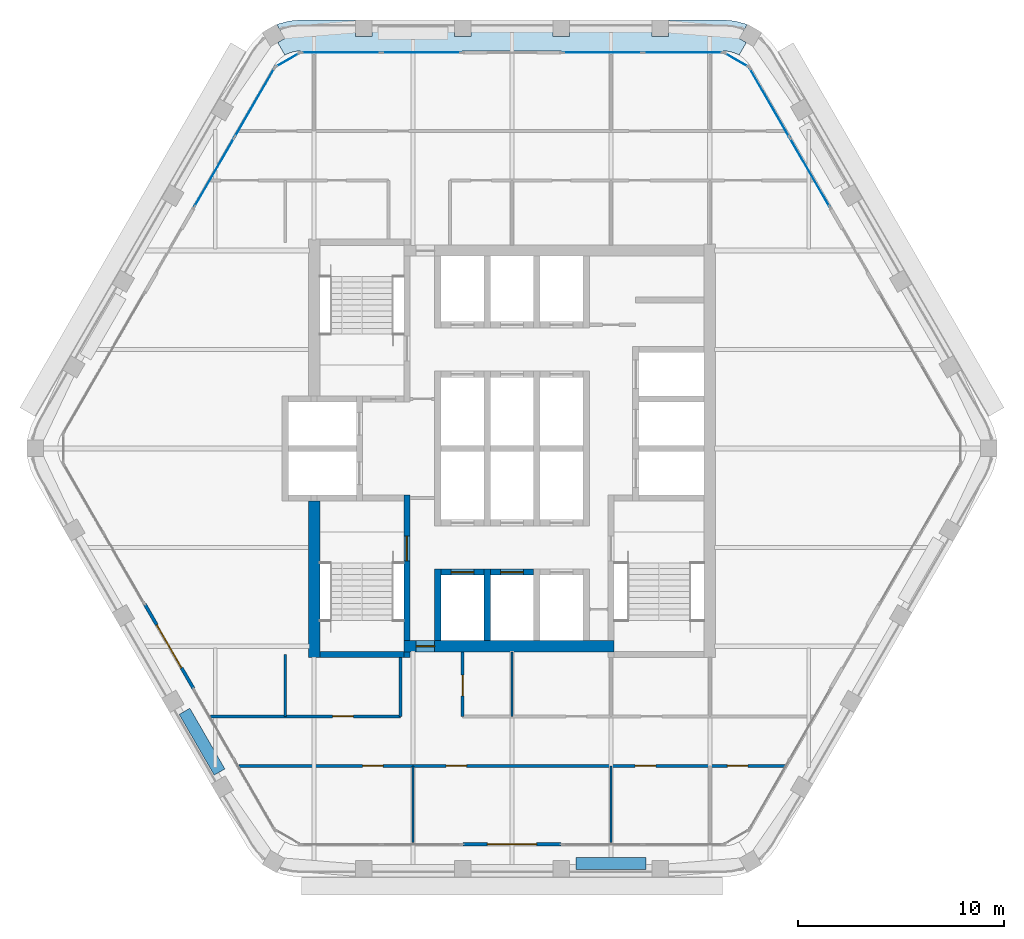
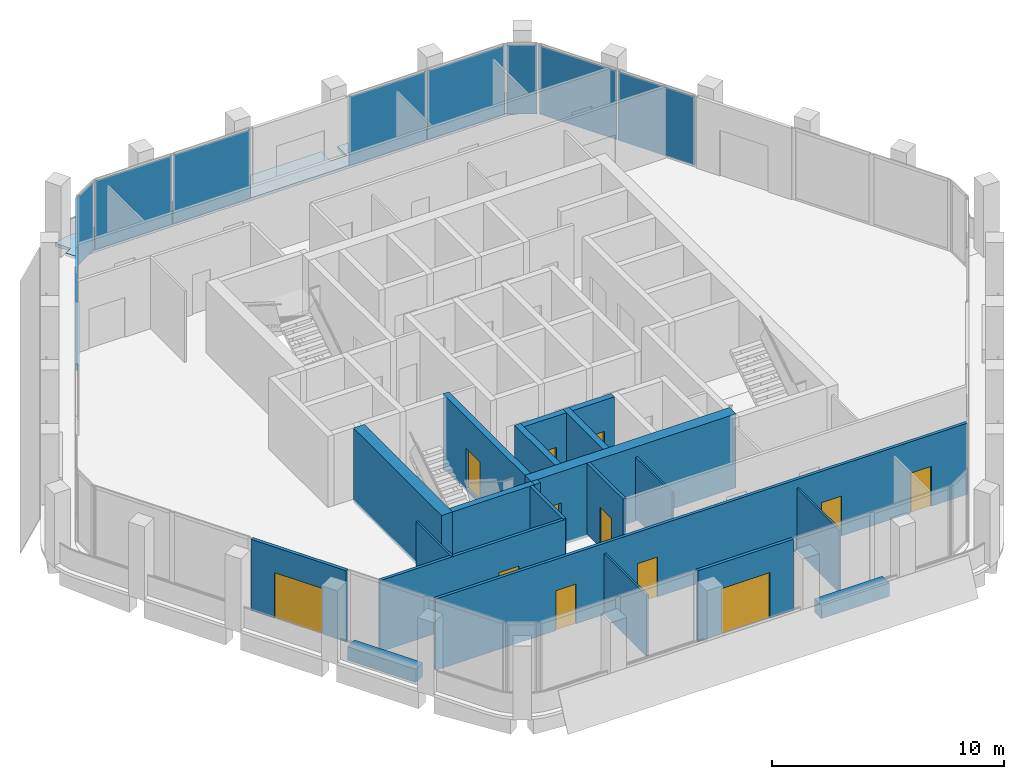
# One storey, part 7 of 13: 21 walls, 12 doors, 10 plates, 1 slab, 12 openings, 6 elements without a shape of their own.
"""IFC4 building model written with IfcOpenShell, lengths in metres."""

from ifc_helpers import new_model, si_unit, direction, frame, frame_2d, origin, origin_2d, place, context, subcontext, project, spatial, polyline, rectangle, outline, extrude, material, layer, layer_set, type_object, element, fill, aggregate, save


model = new_model("IFC4")

# Units and contexts
model_context = context("Model", 3, precision=1e-05, world=origin(), true_north=direction((0.0, 1.0)))
body_context = subcontext(model_context, "Body", "Model", "MODEL_VIEW")
ifc_project = project(units=[si_unit("LENGTHUNIT", "METRE"), si_unit("AREAUNIT", "SQUARE_METRE"), si_unit("VOLUMEUNIT", "CUBIC_METRE"), si_unit("PLANEANGLEUNIT", "RADIAN"), si_unit("MASSUNIT", "GRAM", prefix="KILO")], contexts=[model_context])

# Site, building, storey
site_placement = place(None, origin())
site = spatial("IfcSite", under=ifc_project, at=site_placement, CompositionType="ELEMENT")
building_placement = place(site_placement, origin())
building = spatial("IfcBuilding", under=site, at=building_placement, Name="Kolab Exchange Tower", CompositionType="ELEMENT")
storey_placement = place(building_placement, frame((0.0, 0.0, 289.10009765625)))
storey = spatial("IfcBuildingStorey", under=building, at=storey_placement, Name="L65", CompositionType="ELEMENT", Elevation=289.10009765625)

# Slab
ifc_material_1 = material(Name="Concrete C35/45", Category="concrete")
ifc_layer_1 = layer(ifc_material_1, 0.14990234375)
ifc_layer_set_1 = layer_set([ifc_layer_1], Name="Concrete C35/45")
slab_type = type_object("IfcSlabType", Name="LOGGIA SLAB 150", PredefinedType="FLOOR", material=ifc_layer_set_1)
slab_placement = place(storey_placement, frame((0.0, 0.0, -0.150146484375)))
element("IfcSlab", 1, at=slab_placement, inside=storey, type_object=slab_type, Name="slab/L65/loggia/0-0", PredefinedType="FLOOR", context=body_context, shape_type="SweptSolid", body=[
    extrude(outline(polyline([(11.01806640625, 19.083740234375), (11.367919921875, 19.68994140625), (11.021484375, 19.889892578125), (11.404052734375, 20.552490234375), (11.2939453125, 20.603759765625), (10.788818359375, 20.739013671875), (10.26806640625, 20.78466796875), (7.60009765625, 20.78466796875), (7.60009765625, 19.984619140625), (6.800048828125, 19.984619140625), (6.800048828125, 20.78466796875), (2.800048828125, 20.78466796875), (2.800048828125, 19.984619140625), (2.0, 19.984619140625), (2.0, 20.78466796875), (-2.0, 20.78466796875), (-2.0, 19.984619140625), (-2.800048828125, 19.984619140625), (-2.800048828125, 20.78466796875), (-6.800048828125, 20.78466796875), (-6.800048828125, 19.984619140625), (-7.60009765625, 19.984619140625), (-7.60009765625, 20.78466796875), (-10.26806640625, 20.78466796875), (-10.788818359375, 20.739013671875), (-11.2939453125, 20.603759765625), (-11.404052734375, 20.552490234375), (-11.021484375, 19.889892578125), (-11.367919921875, 19.68994140625), (-11.01806640625, 19.083740234375), (-10.781005859375, 19.194091796875), (-10.5283203125, 19.26171875), (-10.26806640625, 19.28466796875), (10.26806640625, 19.28466796875), (10.5283203125, 19.26171875), (10.781005859375, 19.194091796875), (11.01806640625, 19.083740234375)])), origin(), (0.0, 0.0, 1.0), 0.150146484375),
])

# Curtain wall, plates
ifc_material_2 = material(Name="Aluminium EN AW-6063 T6", Category="aluminium")
curtain_wall_type = type_object("IfcCurtainWallType", Name="UNITISED HIGH ZONE CURTAIN WALL", PredefinedType="NOTDEFINED", material=ifc_material_2)
curtain_wall_1_placement = place(storey_placement, origin())
curtain_wall_1 = element("IfcCurtainWall", 2, at=curtain_wall_1_placement, inside=storey, type_object=curtain_wall_type, Name="cw/L65/F1-1", PredefinedType="NOTDEFINED")
ifc_material_3 = material(Name="Clear insulated glazing unit", Category="glass")
ifc_layer_2 = layer(ifc_material_3, 0.030029296875)
ifc_layer_set_2 = layer_set([ifc_layer_2], Name="Clear insulated glazing unit")
plate_type = type_object("IfcPlateType", Name="UNITISED HIGH ZONE GLASS PANEL 30", PredefinedType="CURTAIN_PANEL", material=ifc_layer_set_2)
plate_1_placement = place(storey_placement, frame((-8.285888671875, 19.20458984375, 0.06005859375), z_axis=(0.0, 0.0, 1.0), x_axis=(1.0, 0.0, 0.0)))
plate_1 = element("IfcPlate", 3, at=plate_1_placement, type_object=plate_type, Name="CW4 panel 1.1", PredefinedType="CURTAIN_PANEL", context=body_context, shape_type="SweptSolid", body=[
    extrude(rectangle(XDim=3.843994140625, YDim=0.030029296875, at=origin_2d()), origin(), (0.0, 0.0, 1.0), 3.6298828125),
])
plate_2_placement = place(storey_placement, frame((-4.382080078125, 19.20458984375, 0.06005859375), z_axis=(0.0, 0.0, 1.0), x_axis=(1.0, 0.0, 0.0)))
plate_2 = element("IfcPlate", 4, at=plate_2_placement, type_object=plate_type, Name="CW4 panel 2.1", PredefinedType="CURTAIN_PANEL", context=body_context, shape_type="SweptSolid", body=[
    extrude(rectangle(XDim=3.843994140625, YDim=0.030029296875, at=origin_2d()), origin(), (0.0, 0.0, 1.0), 3.6298828125),
])
aggregate(curtain_wall_1, [plate_1, plate_2])

curtain_wall_2_placement = place(storey_placement, origin())
curtain_wall_2 = element("IfcCurtainWall", 5, at=curtain_wall_2_placement, inside=storey, type_object=curtain_wall_type, Name="cw/L65/F1-2", PredefinedType="NOTDEFINED")
plate_3_placement = place(storey_placement, frame((4.382080078125, 19.20458984375, 0.06005859375), z_axis=(0.0, 0.0, 1.0), x_axis=(1.0, 0.0, 0.0)))
plate_3 = element("IfcPlate", 6, at=plate_3_placement, type_object=plate_type, Name="CW4 panel 1.1", PredefinedType="CURTAIN_PANEL", context=body_context, shape_type="SweptSolid", body=[
    extrude(rectangle(XDim=3.843994140625, YDim=0.030029296875, at=origin_2d()), origin(), (0.0, 0.0, 1.0), 3.6298828125),
])
plate_4_placement = place(storey_placement, frame((8.285888671875, 19.20458984375, 0.06005859375), z_axis=(0.0, 0.0, 1.0), x_axis=(1.0, 0.0, 0.0)))
plate_4 = element("IfcPlate", 7, at=plate_4_placement, type_object=plate_type, Name="CW4 panel 2.1", PredefinedType="CURTAIN_PANEL", context=body_context, shape_type="SweptSolid", body=[
    extrude(rectangle(XDim=3.843994140625, YDim=0.030029296875, at=origin_2d()), origin(), (0.0, 0.0, 1.0), 3.6298828125),
])
aggregate(curtain_wall_2, [plate_3, plate_4])

curtain_wall_3_placement = place(storey_placement, origin())
curtain_wall_3 = element("IfcCurtainWall", 8, at=curtain_wall_3_placement, inside=storey, type_object=curtain_wall_type, Name="cw/L65/F2-1", PredefinedType="NOTDEFINED")
plate_5_placement = place(storey_placement, frame((12.48876953125, 16.778076171875, 0.06005859375), z_axis=(0.0, 0.0, 1.0), x_axis=(0.500000031681, -0.866025385493, 0.0)))
plate_5 = element("IfcPlate", 9, at=plate_5_placement, type_object=plate_type, Name="CW4 panel 1.1", PredefinedType="CURTAIN_PANEL", context=body_context, shape_type="SweptSolid", body=[
    extrude(rectangle(XDim=3.843994140625, YDim=0.030029296875, at=origin_2d()), origin(), (0.0, 0.0, 1.0), 3.6298828125),
])
plate_6_placement = place(storey_placement, frame((14.440673828125, 13.397216796875, 0.06005859375), z_axis=(0.0, 0.0, 1.0), x_axis=(0.500000031681, -0.866025385493, 0.0)))
plate_6 = element("IfcPlate", 10, at=plate_6_placement, type_object=plate_type, Name="CW4 panel 2.1", PredefinedType="CURTAIN_PANEL", context=body_context, shape_type="SweptSolid", body=[
    extrude(rectangle(XDim=3.843994140625, YDim=0.030029296875, at=origin_2d()), origin(), (0.0, 0.0, 1.0), 3.6298828125),
])
aggregate(curtain_wall_3, [plate_5, plate_6])

curtain_wall_4_placement = place(storey_placement, origin())
curtain_wall_4 = element("IfcCurtainWall", 11, at=curtain_wall_4_placement, inside=storey, type_object=curtain_wall_type, Name="cw/L65/F6-2", PredefinedType="NOTDEFINED")
plate_7_placement = place(storey_placement, frame((-14.440673828125, 13.397216796875, 0.06005859375), z_axis=(0.0, 0.0, 1.0), x_axis=(0.500000031681, 0.866025385493, 0.0)))
plate_7 = element("IfcPlate", 12, at=plate_7_placement, type_object=plate_type, Name="CW4 panel 1.1", PredefinedType="CURTAIN_PANEL", context=body_context, shape_type="SweptSolid", body=[
    extrude(rectangle(XDim=3.843994140625, YDim=0.030029296875, at=origin_2d()), origin(), (0.0, 0.0, 1.0), 3.6298828125),
])
plate_8_placement = place(storey_placement, frame((-12.48876953125, 16.778076171875, 0.06005859375), z_axis=(0.0, 0.0, 1.0), x_axis=(0.500000031681, 0.866025385493, 0.0)))
plate_8 = element("IfcPlate", 13, at=plate_8_placement, type_object=plate_type, Name="CW4 panel 2.1", PredefinedType="CURTAIN_PANEL", context=body_context, shape_type="SweptSolid", body=[
    extrude(rectangle(XDim=3.843994140625, YDim=0.030029296875, at=origin_2d()), origin(), (0.0, 0.0, 1.0), 3.6298828125),
])
aggregate(curtain_wall_4, [plate_7, plate_8])

# Curtain wall, plate
curtain_wall_5_placement = place(storey_placement, origin())
curtain_wall_5 = element("IfcCurtainWall", 14, at=curtain_wall_5_placement, inside=storey, type_object=curtain_wall_type, Name="cw/L65/F1F2-corner", PredefinedType="NOTDEFINED")
plate_9_placement = place(storey_placement, frame((10.8828125, 18.849609375, 0.06005859375), z_axis=(0.0, 0.0, 1.0), x_axis=(0.866025390869, -0.50000002237, 0.0)))
plate_9 = element("IfcPlate", 15, at=plate_9_placement, type_object=plate_type, Name="CW4 panel 1.1", PredefinedType="CURTAIN_PANEL", context=body_context, shape_type="SweptSolid", body=[
    extrude(rectangle(XDim=1.300048828125, YDim=0.030029296875, at=origin_2d()), origin(), (0.0, 0.0, 1.0), 3.6298828125),
])
aggregate(curtain_wall_5, [plate_9])

curtain_wall_6_placement = place(storey_placement, origin())
curtain_wall_6 = element("IfcCurtainWall", 16, at=curtain_wall_6_placement, inside=storey, type_object=curtain_wall_type, Name="cw/L65/F6F1-corner", PredefinedType="NOTDEFINED")
plate_10_placement = place(storey_placement, frame((-10.8828125, 18.849609375, 0.06005859375), z_axis=(0.0, 0.0, 1.0), x_axis=(0.866025390869, 0.50000002237, 0.0)))
plate_10 = element("IfcPlate", 17, at=plate_10_placement, type_object=plate_type, Name="CW4 panel 1.1", PredefinedType="CURTAIN_PANEL", context=body_context, shape_type="SweptSolid", body=[
    extrude(rectangle(XDim=1.300048828125, YDim=0.030029296875, at=origin_2d()), origin(), (0.0, 0.0, 1.0), 3.6298828125),
])
aggregate(curtain_wall_6, [plate_10])

# Wall, opening, door
ifc_material_4 = material(Name="Concrete C50/60", Category="concrete")
ifc_layer_3 = layer(ifc_material_4, 0.550048828125)
ifc_layer_set_3 = layer_set([ifc_layer_3], Name="Concrete C50/60")
wall_type_1 = type_object("IfcWallType", Name="CORE WALL 550 C50/60", PredefinedType="SHEAR", material=ifc_layer_set_3)
wall_1_placement = place(storey_placement, frame((-5.25, -9.60009765625, -0.150146484375), z_axis=(0.0, 0.0, 1.0), x_axis=(1.0, 0.0, 0.0)))
wall_1 = element("IfcWall", 18, at=wall_1_placement, inside=storey, type_object=wall_type_1, Name="wall/L65/core/002", PredefinedType="SHEAR", context=body_context, shape_type="SweptSolid", body=[
    extrude(rectangle(XDim=10.199951171875, YDim=0.550048828125, at=frame_2d((5.10009765625, 0.0))), origin(), (0.0, 0.0, 1.0), 3.900146484375),
])
opening_1_placement = place(wall_1_placement, frame((0.60009765625, 0.0, 0.14990234375)))
opening_1 = element("IfcOpeningElement", 19, at=opening_1_placement, cuts=wall_1, Name="Opening D6-297", PredefinedType="OPENING", context=body_context, shape_type="SweptSolid", body=[
    extrude(rectangle(XDim=0.89990234375, YDim=2.10009765625, at=frame_2d((0.449951171875, 1.050048828125))), frame((0.0, 0.28515625, 0.0), z_axis=(0.0, -1.0, 0.0), x_axis=(1.0, 0.0, 0.0)), (0.0, 0.0, 1.0), 0.570068359375),
])
ifc_material_5 = material(Name="Steel S235", Category="steel")
door_type_1 = type_object("IfcDoorType", Name="CORE DOOR 900 EI 120", OperationType="SINGLE_SWING_LEFT", PredefinedType="DOOR", material=ifc_material_5)
door_1_placement = place(opening_1_placement, origin())
door_1 = element("IfcDoor", 20, at=door_1_placement, inside=storey, type_object=door_type_1, Name="Core lobby door", OperationType="SINGLE_SWING_RIGHT", OverallHeight=2.10009765625, OverallWidth=0.89990234375, PredefinedType="DOOR", context=body_context, shape_type="SweptSolid", body=[
    extrude(rectangle(XDim=0.89990234375, YDim=2.10009765625, at=frame_2d((0.449951171875, 1.050048828125))), frame((0.0, 0.02490234375, 0.0), z_axis=(0.0, -1.0, 0.0), x_axis=(1.0, 0.0, 0.0)), (0.0, 0.0, 1.0), 0.050048828125),
])
fill(opening_1, door_1)

# Wall
wall_2_placement = place(storey_placement, frame((-9.60009765625, -10.14990234375, -0.150146484375), z_axis=(0.0, 0.0, 1.0), x_axis=(0.0, 1.0, 0.0)))
element("IfcWall", 21, at=wall_2_placement, inside=storey, type_object=wall_type_1, Name="wall/L65/core/034", PredefinedType="SHEAR", context=body_context, shape_type="SweptSolid", body=[
    extrude(rectangle(XDim=7.599853515625, YDim=0.550048828125, at=frame_2d((3.7998046875, 0.0))), origin(), (0.0, 0.0, 1.0), 3.900146484375),
])

# Wall, opening, door
ifc_layer_4 = layer(ifc_material_2, 0.159912109375)
ifc_layer_set_4 = layer_set([ifc_layer_4], Name="Aluminium EN AW-6063 T6")
wall_type_2 = type_object("IfcWallType", Name="DOOR SURROUND WALL 160 ALUMINIUM FRAMED", PredefinedType="PARTITIONING", material=ifc_layer_set_4)
wall_3_placement = place(storey_placement, frame((2.3701171875, -19.20458984375, 0.0), z_axis=(0.0, 0.0, 1.0), x_axis=(-1.0, 0.0, 0.0)))
wall_3 = element("IfcWall", 22, at=wall_3_placement, inside=storey, type_object=wall_type_2, Name="Door surround wall", PredefinedType="PARTITIONING", context=body_context, shape_type="SweptSolid", body=[
    extrude(rectangle(XDim=4.740234375, YDim=0.159912109375, at=frame_2d((2.3701171875, 0.0))), origin(), (0.0, 0.0, 1.0), 3.75),
])
opening_2_placement = place(wall_3_placement, frame((1.169921875, 0.0, 0.0)))
opening_2 = element("IfcOpeningElement", 23, at=opening_2_placement, cuts=wall_3, Name="Opening GD1-092", PredefinedType="OPENING", context=body_context, shape_type="SweptSolid", body=[
    extrude(rectangle(XDim=2.39990234375, YDim=2.39990234375, at=frame_2d((1.199951171875, 1.199951171875))), frame((0.0, 0.08984375, 0.0), z_axis=(0.0, -1.0, 0.0), x_axis=(1.0, 0.0, 0.0)), (0.0, 0.0, 1.0), 0.179931640625),
])
door_type_2 = type_object("IfcDoorType", Name="LOGGIA SLIDING GLASS DOOR 2400 X 2400", OperationType="DOUBLE_DOOR_SINGLE_SWING", PredefinedType="DOOR", material=ifc_material_2)
door_2_placement = place(opening_2_placement, origin())
door_2 = element("IfcDoor", 24, at=door_2_placement, inside=storey, type_object=door_type_2, Name="Loggia door", OperationType="DOUBLE_DOOR_SLIDING", OverallHeight=2.39990234375, OverallWidth=2.39990234375, PredefinedType="DOOR", context=body_context, shape_type="SweptSolid", body=[
    extrude(rectangle(XDim=2.39990234375, YDim=2.39990234375, at=frame_2d((1.199951171875, 1.199951171875))), frame((0.0, 0.02490234375, 0.0), z_axis=(0.0, -1.0, 0.0), x_axis=(1.0, 0.0, 0.0)), (0.0, 0.0, 1.0), 0.050048828125),
])
fill(opening_2, door_2)

wall_4_placement = place(storey_placement, frame((-15.44677734375, -11.65478515625, 0.0), z_axis=(0.0, 0.0, 1.0), x_axis=(-0.499978080042, 0.866038058908, 0.0)))
wall_4 = element("IfcWall", 25, at=wall_4_placement, inside=storey, type_object=wall_type_2, Name="Door surround wall", PredefinedType="PARTITIONING", context=body_context, shape_type="SweptSolid", body=[
    extrude(rectangle(XDim=4.739990234375, YDim=0.159912109375, at=frame_2d((2.3701171875, 0.0))), origin(), (0.0, 0.0, 1.0), 3.75),
])
opening_3_placement = place(wall_4_placement, frame((1.169921875, 0.0, 0.0)))
opening_3 = element("IfcOpeningElement", 26, at=opening_3_placement, cuts=wall_4, Name="Opening GD1-093", PredefinedType="OPENING", context=body_context, shape_type="SweptSolid", body=[
    extrude(rectangle(XDim=2.39990234375, YDim=2.39990234375, at=frame_2d((1.199951171875, 1.199951171875))), frame((0.0, 0.08984375, 0.0), z_axis=(0.0, -1.0, 0.0), x_axis=(1.0, 0.0, 0.0)), (0.0, 0.0, 1.0), 0.179931640625),
])
door_3_placement = place(opening_3_placement, origin())
door_3 = element("IfcDoor", 27, at=door_3_placement, inside=storey, type_object=door_type_2, Name="Loggia door", OperationType="DOUBLE_DOOR_SLIDING", OverallHeight=2.39990234375, OverallWidth=2.39990234375, PredefinedType="DOOR", context=body_context, shape_type="SweptSolid", body=[
    extrude(rectangle(XDim=2.39990234375, YDim=2.39990234375, at=frame_2d((1.199951171875, 1.199951171875))), frame((0.0, 0.02490234375, 0.0), z_axis=(0.0, -1.0, 0.0), x_axis=(1.0, 0.0, 0.0)), (0.0, 0.0, 1.0), 0.050048828125),
])
fill(opening_3, door_3)

ifc_layer_5 = layer(ifc_material_4, 0.300048828125)
ifc_layer_set_5 = layer_set([ifc_layer_5], Name="Concrete C50/60")
wall_type_3 = type_object("IfcWallType", Name="LIFT SHAFT WALL 300 C50/60", PredefinedType="STANDARD", material=ifc_layer_set_5)
wall_5_placement = place(storey_placement, frame((-3.449951171875, -6.0, -0.150146484375), z_axis=(0.0, 0.0, 1.0), x_axis=(1.0, 0.0, 0.0)))
wall_5 = element("IfcWall", 28, at=wall_5_placement, inside=storey, type_object=wall_type_3, Name="wall/L65/core/003", PredefinedType="STANDARD", context=body_context, shape_type="SweptSolid", body=[
    extrude(rectangle(XDim=2.099853515625, YDim=0.300048828125, at=frame_2d((1.0498046875, 0.0))), origin(), (0.0, 0.0, 1.0), 3.900146484375),
])
opening_4_placement = place(wall_5_placement, frame((0.5, 0.0, 0.14990234375)))
opening_4 = element("IfcOpeningElement", 29, at=opening_4_placement, cuts=wall_5, Name="Opening LD1-110", PredefinedType="OPENING", context=body_context, shape_type="SweptSolid", body=[
    extrude(rectangle(XDim=1.10009765625, YDim=2.10009765625, at=frame_2d((0.550048828125, 1.050048828125))), frame((0.0, 0.16015625, 0.0), z_axis=(0.0, -1.0, 0.0), x_axis=(1.0, 0.0, 0.0)), (0.0, 0.0, 1.0), 0.320068359375),
])
ifc_material_6 = material(Name="Stainless steel 316", Category="steel")
door_type_3 = type_object("IfcDoorType", Name="LANDING DOOR 1100 PASSENGER", OperationType="DOUBLE_DOOR_SLIDING", PredefinedType="DOOR", material=ifc_material_6)
door_4_placement = place(opening_4_placement, origin())
door_4 = element("IfcDoor", 30, at=door_4_placement, inside=storey, type_object=door_type_3, Name="Landing door HR10", OperationType="DOUBLE_DOOR_SLIDING", OverallHeight=2.10009765625, OverallWidth=1.10009765625, PredefinedType="DOOR", context=body_context, shape_type="SweptSolid", body=[
    extrude(rectangle(XDim=1.10009765625, YDim=2.10009765625, at=frame_2d((0.550048828125, 1.050048828125))), frame((0.0, 0.02490234375, 0.0), z_axis=(0.0, -1.0, 0.0), x_axis=(1.0, 0.0, 0.0)), (0.0, 0.0, 1.0), 0.050048828125),
])
fill(opening_4, door_4)

wall_6_placement = place(storey_placement, frame((-1.050048828125, -6.0, -0.150146484375), z_axis=(0.0, 0.0, 1.0), x_axis=(1.0, 0.0, 0.0)))
wall_6 = element("IfcWall", 31, at=wall_6_placement, inside=storey, type_object=wall_type_3, Name="wall/L65/core/004", PredefinedType="STANDARD", context=body_context, shape_type="SweptSolid", body=[
    extrude(rectangle(XDim=2.10009765625, YDim=0.300048828125, at=frame_2d((1.050048828125, 0.0))), origin(), (0.0, 0.0, 1.0), 3.900146484375),
])
opening_5_placement = place(wall_6_placement, frame((0.5, 0.0, 0.14990234375)))
opening_5 = element("IfcOpeningElement", 32, at=opening_5_placement, cuts=wall_6, Name="Opening LD1-111", PredefinedType="OPENING", context=body_context, shape_type="SweptSolid", body=[
    extrude(rectangle(XDim=1.10009765625, YDim=2.10009765625, at=frame_2d((0.550048828125, 1.050048828125))), frame((0.0, 0.16015625, 0.0), z_axis=(0.0, -1.0, 0.0), x_axis=(1.0, 0.0, 0.0)), (0.0, 0.0, 1.0), 0.320068359375),
])
door_5_placement = place(opening_5_placement, origin())
door_5 = element("IfcDoor", 33, at=door_5_placement, inside=storey, type_object=door_type_3, Name="Landing door HR11", OperationType="DOUBLE_DOOR_SLIDING", OverallHeight=2.10009765625, OverallWidth=1.10009765625, PredefinedType="DOOR", context=body_context, shape_type="SweptSolid", body=[
    extrude(rectangle(XDim=1.10009765625, YDim=2.10009765625, at=frame_2d((0.550048828125, 1.050048828125))), frame((0.0, 0.02490234375, 0.0), z_axis=(0.0, -1.0, 0.0), x_axis=(1.0, 0.0, 0.0)), (0.0, 0.0, 1.0), 0.050048828125),
])
fill(opening_5, door_5)

# Walls
for number, where, z_axis, x_axis, name in (
    (34, (-3.60009765625, -9.324951171875, -0.150146484375), (0.0, 0.0, 1.0), (0.0, 1.0, 0.0), "wall/L65/core/043"),
    (35, (-1.199951171875, -9.324951171875, -0.150146484375), (0.0, 0.0, 1.0), (0.0, 1.0, 0.0), "wall/L65/core/046"),
):
    element("IfcWall", number, at=place(storey_placement, frame(where, z_axis=z_axis, x_axis=x_axis)), inside=storey, type_object=wall_type_3, Name=name, PredefinedType="STANDARD", context=body_context, shape_type="SweptSolid", body=[
        extrude(rectangle(XDim=3.474853515625, YDim=0.300048828125, at=frame_2d((1.7373046875, 0.0))), origin(), (0.0, 0.0, 1.0), 3.900146484375),
    ])
ifc_material_7 = material(Name="Gypsum board", Category="gypsum")
ifc_layer_6 = layer(ifc_material_7, 0.10009765625)
ifc_layer_set_6 = layer_set([ifc_layer_6], Name="Gypsum board")
wall_type_4 = type_object("IfcWallType", Name="PARTITION 100", PredefinedType="PARTITIONING", material=ifc_layer_set_6)
wall_7_placement = place(storey_placement, frame((4.800048828125, -19.114501953125, 0.0), z_axis=(0.0, 0.0, 1.0), x_axis=(0.0, 1.0, 0.0)))
element("IfcWall", 36, at=wall_7_placement, inside=storey, type_object=wall_type_4, Name="Partition 004", PredefinedType="PARTITIONING", context=body_context, shape_type="SweptSolid", body=[
    extrude(rectangle(XDim=3.714599609375, YDim=0.10009765625, at=frame_2d((1.857421875, 0.0))), origin(), (0.0, 0.0, 1.0), 3.29296875),
])
wall_8_placement = place(storey_placement, frame((0.0, -13.0, 0.0), z_axis=(0.0, 0.0, 1.0), x_axis=(0.0, 1.0, 0.0)))
element("IfcWall", 37, at=wall_8_placement, inside=storey, type_object=wall_type_4, Name="Partition 008", PredefinedType="PARTITIONING", context=body_context, shape_type="SweptSolid", body=[
    extrude(rectangle(XDim=3.125, YDim=0.10009765625, at=frame_2d((1.5625, 0.0))), origin(), (0.0, 0.0, 1.0), 3.216796875),
])
wall_9_placement = place(storey_placement, frame((-4.800048828125, -19.114501953125, 0.0), z_axis=(0.0, 0.0, 1.0), x_axis=(0.0, 1.0, 0.0)))
element("IfcWall", 38, at=wall_9_placement, inside=storey, type_object=wall_type_4, Name="Partition 012", PredefinedType="PARTITIONING", context=body_context, shape_type="SweptSolid", body=[
    extrude(rectangle(XDim=3.714599609375, YDim=0.10009765625, at=frame_2d((1.857421875, 0.0))), origin(), (0.0, 0.0, 1.0), 3.216796875),
])
wall_10_placement = place(storey_placement, frame((-11.0, -13.0, 0.0), z_axis=(0.0, 0.0, 1.0), x_axis=(0.0, 1.0, 0.0)))
element("IfcWall", 39, at=wall_10_placement, inside=storey, type_object=wall_type_4, Name="Partition 016", PredefinedType="PARTITIONING", context=body_context, shape_type="SweptSolid", body=[
    extrude(rectangle(XDim=3.0, YDim=0.10009765625, at=frame_2d((1.5, 0.0))), origin(), (0.0, 0.0, 1.0), 3.75),
])

# Wall, opening, door
ifc_layer_7 = layer(ifc_material_7, 0.14990234375)
ifc_layer_set_7 = layer_set([ifc_layer_7], Name="Gypsum board")
wall_type_5 = type_object("IfcWallType", Name="PARTITION 150 FIRE-RATED", PredefinedType="PARTITIONING", material=ifc_layer_set_7)
wall_11_placement = place(storey_placement, frame((-2.39990234375, -13.0, 0.0), z_axis=(0.0, 0.0, 1.0), x_axis=(0.0, 1.0, 0.0)))
wall_11 = element("IfcWall", 40, at=wall_11_placement, inside=storey, type_object=wall_type_5, Name="Partition 010", PredefinedType="PARTITIONING", context=body_context, shape_type="SweptSolid", body=[
    extrude(rectangle(XDim=3.125, YDim=0.14990234375, at=frame_2d((1.5625, 0.0))), origin(), (0.0, 0.0, 1.0), 3.75),
])
opening_6_placement = place(wall_11_placement, frame((1.0, 0.0, 0.0)))
opening_6 = element("IfcOpeningElement", 41, at=opening_6_placement, cuts=wall_11, Name="Opening D1-755", PredefinedType="OPENING", context=body_context, shape_type="SweptSolid", body=[
    extrude(rectangle(XDim=1.0, YDim=2.10009765625, at=frame_2d((0.5, 1.050048828125))), frame((0.0, 0.0849609375, 0.0), z_axis=(0.0, -1.0, 0.0), x_axis=(1.0, 0.0, 0.0)), (0.0, 0.0, 1.0), 0.169921875),
])
door_type_4 = type_object("IfcDoorType", Name="FLUSH DOOR 1000 FD60", OperationType="SINGLE_SWING_LEFT", PredefinedType="DOOR", material=ifc_material_5)
door_6_placement = place(opening_6_placement, frame((1.0, 0.0, 0.0), z_axis=(0.0, 0.0, 1.0), x_axis=(-1.0, 0.0, 0.0)))
door_6 = element("IfcDoor", 42, at=door_6_placement, inside=storey, type_object=door_type_4, Name="Door L65-035", OperationType="SINGLE_SWING_LEFT", OverallHeight=2.10009765625, OverallWidth=1.0, PredefinedType="DOOR", context=body_context, shape_type="SweptSolid", body=[
    extrude(rectangle(XDim=1.0, YDim=2.10009765625, at=frame_2d((0.5, 1.050048828125))), frame((0.0, 0.02490234375, 0.0), z_axis=(0.0, -1.0, 0.0), x_axis=(1.0, 0.0, 0.0)), (0.0, 0.0, 1.0), 0.050048828125),
])
fill(opening_6, door_6)

# Wall
wall_12_placement = place(storey_placement, frame((-5.39990234375, -13.0, 0.0), z_axis=(0.0, 0.0, 1.0), x_axis=(0.0, 1.0, 0.0)))
element("IfcWall", 43, at=wall_12_placement, inside=storey, type_object=wall_type_5, Name="Partition 013", PredefinedType="PARTITIONING", context=body_context, shape_type="SweptSolid", body=[
    extrude(rectangle(XDim=2.85009765625, YDim=0.14990234375, at=frame_2d((1.425048828125, 0.0))), origin(), (0.0, 0.0, 1.0), 3.75),
])

# Wall, openings, doors
wall_13_placement = place(storey_placement, frame((-13.23828125, -15.39990234375, 0.0), z_axis=(0.0, 0.0, 1.0), x_axis=(1.0, 0.0, 0.0)))
wall_13 = element("IfcWall", 44, at=wall_13_placement, inside=storey, type_object=wall_type_5, Name="Partition 018", PredefinedType="PARTITIONING", context=body_context, shape_type="SweptSolid", body=[
    extrude(rectangle(XDim=26.4765625, YDim=0.14990234375, at=frame_2d((13.23828125, 0.0))), origin(), (0.0, 0.0, 1.0), 3.75),
])
opening_7_placement = place(wall_13_placement, frame((5.98681640625, 0.0, 0.0)))
opening_7 = element("IfcOpeningElement", 45, at=opening_7_placement, cuts=wall_13, Name="Opening D1-763", PredefinedType="OPENING", context=body_context, shape_type="SweptSolid", body=[
    extrude(rectangle(XDim=1.0, YDim=2.10009765625, at=frame_2d((0.5, 1.050048828125))), frame((0.0, 0.0849609375, 0.0), z_axis=(0.0, -1.0, 0.0), x_axis=(1.0, 0.0, 0.0)), (0.0, 0.0, 1.0), 0.169921875),
])
opening_8_placement = place(wall_13_placement, frame((10.043212890625, 0.0, 0.0)))
opening_8 = element("IfcOpeningElement", 46, at=opening_8_placement, cuts=wall_13, Name="Opening D1-764", PredefinedType="OPENING", context=body_context, shape_type="SweptSolid", body=[
    extrude(rectangle(XDim=1.0, YDim=2.10009765625, at=frame_2d((0.5, 1.050048828125))), frame((0.0, 0.0849609375, 0.0), z_axis=(0.0, -1.0, 0.0), x_axis=(1.0, 0.0, 0.0)), (0.0, 0.0, 1.0), 0.169921875),
])
opening_9_placement = place(wall_13_placement, frame((19.213134765625, 0.0, 0.0)))
opening_9 = element("IfcOpeningElement", 47, at=opening_9_placement, cuts=wall_13, Name="Opening D1-765", PredefinedType="OPENING", context=body_context, shape_type="SweptSolid", body=[
    extrude(rectangle(XDim=1.0, YDim=2.10009765625, at=frame_2d((0.5, 1.050048828125))), frame((0.0, 0.0849609375, 0.0), z_axis=(0.0, -1.0, 0.0), x_axis=(1.0, 0.0, 0.0)), (0.0, 0.0, 1.0), 0.169921875),
])
opening_10_placement = place(wall_13_placement, frame((23.682373046875, 0.0, 0.0)))
opening_10 = element("IfcOpeningElement", 48, at=opening_10_placement, cuts=wall_13, Name="Opening D1-766", PredefinedType="OPENING", context=body_context, shape_type="SweptSolid", body=[
    extrude(rectangle(XDim=1.0, YDim=2.10009765625, at=frame_2d((0.5, 1.050048828125))), frame((0.0, 0.0849609375, 0.0), z_axis=(0.0, -1.0, 0.0), x_axis=(1.0, 0.0, 0.0)), (0.0, 0.0, 1.0), 0.169921875),
])
door_7_placement = place(opening_7_placement, frame((1.0, 0.0, 0.0), z_axis=(0.0, 0.0, 1.0), x_axis=(-1.0, 0.0, 0.0)))
door_7 = element("IfcDoor", 49, at=door_7_placement, inside=storey, type_object=door_type_4, Name="Door L65-043", OperationType="SINGLE_SWING_RIGHT", OverallHeight=2.10009765625, OverallWidth=1.0, PredefinedType="DOOR", context=body_context, shape_type="SweptSolid", body=[
    extrude(rectangle(XDim=1.0, YDim=2.10009765625, at=frame_2d((0.5, 1.050048828125))), frame((0.0, 0.02490234375, 0.0), z_axis=(0.0, -1.0, 0.0), x_axis=(1.0, 0.0, 0.0)), (0.0, 0.0, 1.0), 0.050048828125),
])
fill(opening_7, door_7)
door_8_placement = place(opening_8_placement, frame((1.0, 0.0, 0.0), z_axis=(0.0, 0.0, 1.0), x_axis=(-1.0, 0.0, 0.0)))
door_8 = element("IfcDoor", 50, at=door_8_placement, inside=storey, type_object=door_type_4, Name="Door L65-044", OperationType="SINGLE_SWING_LEFT", OverallHeight=2.10009765625, OverallWidth=1.0, PredefinedType="DOOR", context=body_context, shape_type="SweptSolid", body=[
    extrude(rectangle(XDim=1.0, YDim=2.10009765625, at=frame_2d((0.5, 1.050048828125))), frame((0.0, 0.02490234375, 0.0), z_axis=(0.0, -1.0, 0.0), x_axis=(1.0, 0.0, 0.0)), (0.0, 0.0, 1.0), 0.050048828125),
])
fill(opening_8, door_8)
door_9_placement = place(opening_9_placement, frame((1.0, 0.0, 0.0), z_axis=(0.0, 0.0, 1.0), x_axis=(-1.0, 0.0, 0.0)))
door_9 = element("IfcDoor", 51, at=door_9_placement, inside=storey, type_object=door_type_4, Name="Door L65-045", OperationType="SINGLE_SWING_LEFT", OverallHeight=2.10009765625, OverallWidth=1.0, PredefinedType="DOOR", context=body_context, shape_type="SweptSolid", body=[
    extrude(rectangle(XDim=1.0, YDim=2.10009765625, at=frame_2d((0.5, 1.050048828125))), frame((0.0, 0.02490234375, 0.0), z_axis=(0.0, -1.0, 0.0), x_axis=(1.0, 0.0, 0.0)), (0.0, 0.0, 1.0), 0.050048828125),
])
fill(opening_9, door_9)
door_10_placement = place(opening_10_placement, frame((1.0, 0.0, 0.0), z_axis=(0.0, 0.0, 1.0), x_axis=(-1.0, 0.0, 0.0)))
door_10 = element("IfcDoor", 52, at=door_10_placement, inside=storey, type_object=door_type_4, Name="Door L65-046", OperationType="SINGLE_SWING_LEFT", OverallHeight=2.10009765625, OverallWidth=1.0, PredefinedType="DOOR", context=body_context, shape_type="SweptSolid", body=[
    extrude(rectangle(XDim=1.0, YDim=2.10009765625, at=frame_2d((0.5, 1.050048828125))), frame((0.0, 0.02490234375, 0.0), z_axis=(0.0, -1.0, 0.0), x_axis=(1.0, 0.0, 0.0)), (0.0, 0.0, 1.0), 0.050048828125),
])
fill(opening_10, door_10)

# Wall, opening, door
wall_14_placement = place(storey_placement, frame((-14.623779296875, -13.0, 0.0), z_axis=(0.0, 0.0, 1.0), x_axis=(1.0, 0.0, 0.0)))
wall_14 = element("IfcWall", 53, at=wall_14_placement, inside=storey, type_object=wall_type_5, Name="Partition 019", PredefinedType="PARTITIONING", context=body_context, shape_type="SweptSolid", body=[
    extrude(rectangle(XDim=9.223876953125, YDim=0.14990234375, at=frame_2d((4.61181640625, 0.0))), origin(), (0.0, 0.0, 1.0), 3.75),
])
opening_11_placement = place(wall_14_placement, frame((5.923828125, 0.0, 0.0)))
opening_11 = element("IfcOpeningElement", 54, at=opening_11_placement, cuts=wall_14, Name="Opening D1-758", PredefinedType="OPENING", context=body_context, shape_type="SweptSolid", body=[
    extrude(rectangle(XDim=1.0, YDim=2.10009765625, at=frame_2d((0.5, 1.050048828125))), frame((0.0, 0.0849609375, 0.0), z_axis=(0.0, -1.0, 0.0), x_axis=(1.0, 0.0, 0.0)), (0.0, 0.0, 1.0), 0.169921875),
])
door_11_placement = place(opening_11_placement, origin())
door_11 = element("IfcDoor", 55, at=door_11_placement, inside=storey, type_object=door_type_4, Name="Door L65-038", OperationType="SINGLE_SWING_RIGHT", OverallHeight=2.10009765625, OverallWidth=1.0, PredefinedType="DOOR", context=body_context, shape_type="SweptSolid", body=[
    extrude(rectangle(XDim=1.0, YDim=2.10009765625, at=frame_2d((0.5, 1.050048828125))), frame((0.0, 0.02490234375, 0.0), z_axis=(0.0, -1.0, 0.0), x_axis=(1.0, 0.0, 0.0)), (0.0, 0.0, 1.0), 0.050048828125),
])
fill(opening_11, door_11)

# Walls
ifc_material_8 = material(Name="Granite facing", Category="masonry")
ifc_layer_8 = layer(ifc_material_8, 0.0400390625)
ifc_material_9 = material(Name="Concrete C40/50 precast", Category="concrete")
ifc_layer_9 = layer(ifc_material_9, 0.56005859375)
ifc_layer_set_8 = layer_set([ifc_layer_8, ifc_layer_9], Name="Concrete C40/50 precast")
wall_type_6 = type_object("IfcWallType", Name="PLANTER BOX 600 X 700 SOIL DEPTH 550", PredefinedType="USERDEFINED", material=ifc_layer_set_8)
wall_15_placement = place(storey_placement, frame((6.5, -20.134521484375, 0.0), z_axis=(0.0, 0.0, 1.0), x_axis=(-1.0, 0.0, 0.0)))
element("IfcWall", 56, at=wall_15_placement, inside=storey, type_object=wall_type_6, Name="Planter", ObjectType="PLANTER", PredefinedType="USERDEFINED", context=body_context, shape_type="SweptSolid", body=[
    extrude(rectangle(XDim=3.39990234375, YDim=0.60009765625, at=frame_2d((1.699951171875, 0.0))), origin(), (0.0, 0.0, 1.0), 0.699951171875),
])
wall_16_placement = place(storey_placement, frame((-14.18701171875, -15.696533203125, 0.0), z_axis=(0.0, 0.0, 1.0), x_axis=(-0.499977295307, 0.866038511948, 0.0)))
element("IfcWall", 57, at=wall_16_placement, inside=storey, type_object=wall_type_6, Name="Planter", ObjectType="PLANTER", PredefinedType="USERDEFINED", context=body_context, shape_type="SweptSolid", body=[
    extrude(rectangle(XDim=3.400146484375, YDim=0.60009765625, at=frame_2d((1.7001953125, 0.0))), origin(), (0.0, 0.0, 1.0), 0.699951171875),
])
ifc_layer_10 = layer(ifc_material_4, 0.300048828125)
ifc_layer_set_9 = layer_set([ifc_layer_10], Name="Concrete C50/60")
wall_type_7 = type_object("IfcWallType", Name="STAIR ENCLOSURE WALL 300 C50/60", PredefinedType="STANDARD", material=ifc_layer_set_9)
wall_17_placement = place(storey_placement, frame((-9.324951171875, -10.0, -0.150146484375), z_axis=(0.0, 0.0, 1.0), x_axis=(1.0, 0.0, 0.0)))
element("IfcWall", 58, at=wall_17_placement, inside=storey, type_object=wall_type_7, Name="wall/L65/core/000", PredefinedType="STANDARD", context=body_context, shape_type="SweptSolid", body=[
    extrude(rectangle(XDim=4.074951171875, YDim=0.300048828125, at=frame_2d((2.03759765625, 0.0))), origin(), (0.0, 0.0, 1.0), 3.900146484375),
])
wall_18_placement = place(storey_placement, frame((-5.10009765625, -10.14990234375, -0.150146484375), z_axis=(0.0, 0.0, 1.0), x_axis=(0.0, 1.0, 0.0)))
element("IfcWall", 59, at=wall_18_placement, inside=storey, type_object=wall_type_7, Name="wall/L65/core/039", PredefinedType="STANDARD", context=body_context, shape_type="SweptSolid", body=[
    extrude(rectangle(XDim=0.27490234375, YDim=0.300048828125, at=frame_2d((0.137451171875, 0.0))), origin(), (0.0, 0.0, 1.0), 3.900146484375),
])

# Wall, opening, door
wall_19_placement = place(storey_placement, frame((-5.10009765625, -9.324951171875, -0.150146484375), z_axis=(0.0, 0.0, 1.0), x_axis=(0.0, 1.0, 0.0)))
wall_19 = element("IfcWall", 60, at=wall_19_placement, inside=storey, type_object=wall_type_7, Name="wall/L65/core/040", PredefinedType="STANDARD", context=body_context, shape_type="SweptSolid", body=[
    extrude(rectangle(XDim=7.074951171875, YDim=0.300048828125, at=frame_2d((3.53759765625, 0.0))), origin(), (0.0, 0.0, 1.0), 3.900146484375),
])
opening_12_placement = place(wall_19_placement, frame((3.875, 0.0, 0.14990234375)))
opening_12 = element("IfcOpeningElement", 61, at=opening_12_placement, cuts=wall_19, Name="Opening D4-078", PredefinedType="OPENING", context=body_context, shape_type="SweptSolid", body=[
    extrude(rectangle(XDim=1.199951171875, YDim=2.10009765625, at=frame_2d((0.60009765625, 1.050048828125))), frame((0.0, 0.16015625, 0.0), z_axis=(0.0, -1.0, 0.0), x_axis=(1.0, 0.0, 0.0)), (0.0, 0.0, 1.0), 0.320068359375),
])
door_type_5 = type_object("IfcDoorType", Name="STAIR DOOR 1200 EI 120", OperationType="SINGLE_SWING_LEFT", PredefinedType="DOOR", material=ifc_material_5)
door_12_placement = place(opening_12_placement, origin())
door_12 = element("IfcDoor", 62, at=door_12_placement, inside=storey, type_object=door_type_5, Name="Stair 3 door", OperationType="SINGLE_SWING_RIGHT", OverallHeight=2.10009765625, OverallWidth=1.199951171875, PredefinedType="DOOR", context=body_context, shape_type="SweptSolid", body=[
    extrude(rectangle(XDim=1.199951171875, YDim=2.10009765625, at=frame_2d((0.60009765625, 1.050048828125))), frame((0.0, 0.02490234375, 0.0), z_axis=(0.0, -1.0, 0.0), x_axis=(1.0, 0.0, 0.0)), (0.0, 0.0, 1.0), 0.050048828125),
])
fill(opening_12, door_12)

save(model, "model.ifc")
